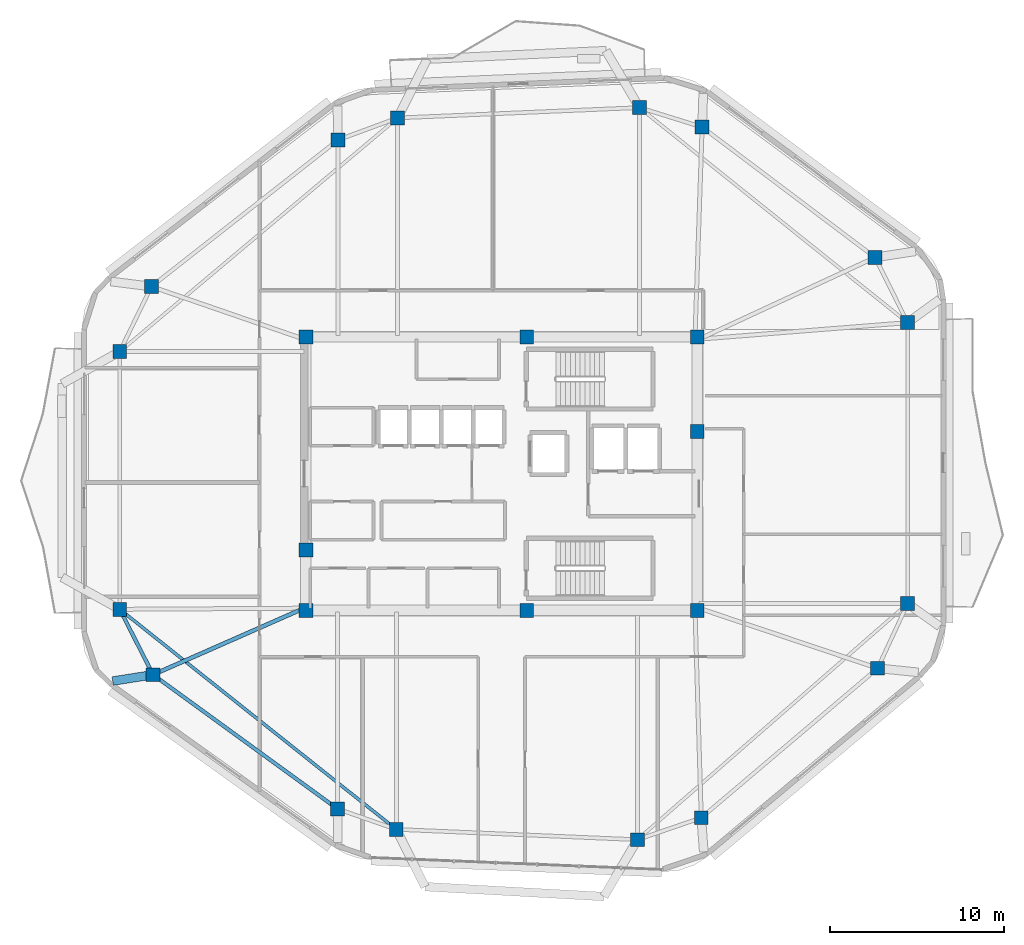
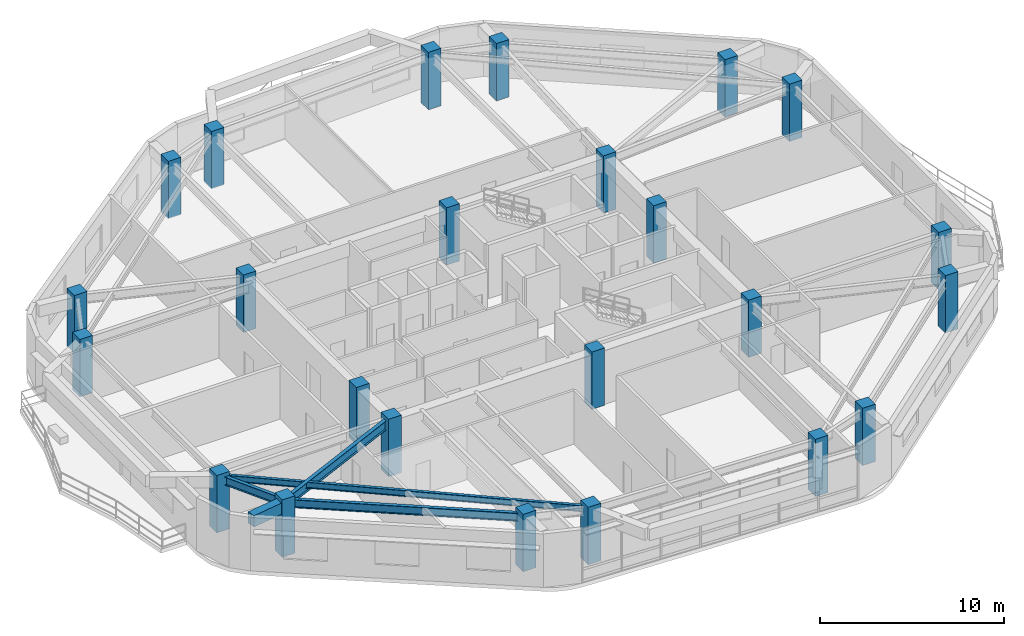
# One storey, part 1 of 13: 24 columns, 5 beams.
"""IFC4 building model written with IfcOpenShell, lengths in metres."""

from ifc_helpers import new_model, si_unit, direction, frame, origin, origin_2d, place, context, subcontext, project, spatial, rectangle, i_section, extrude, material, material_profile, profile_set, type_object, element, save


model = new_model("IFC4")

# Units and contexts
model_context = context("Model", 3, precision=1e-05, world=origin(), true_north=direction((0.0, 1.0)))
body_context = subcontext(model_context, "Body", "Model", "MODEL_VIEW")
ifc_project = project(units=[si_unit("LENGTHUNIT", "METRE"), si_unit("AREAUNIT", "SQUARE_METRE"), si_unit("VOLUMEUNIT", "CUBIC_METRE"), si_unit("PLANEANGLEUNIT", "RADIAN"), si_unit("MASSUNIT", "GRAM", prefix="KILO")], contexts=[model_context])

# Site, building, storey
site_placement = place(None, origin())
site = spatial("IfcSite", under=ifc_project, at=site_placement, CompositionType="ELEMENT")
building_placement = place(site_placement, origin())
building = spatial("IfcBuilding", under=site, at=building_placement, Name="Zulverin Broadcast Headquarters", CompositionType="ELEMENT")
storey_placement = place(building_placement, frame((0.0, 0.0, 301.0)))
storey = spatial("IfcBuildingStorey", under=building, at=storey_placement, Name="L77", CompositionType="ELEMENT", Elevation=301.0)

# Columns
ifc_material_1 = material(Name="Concrete C50/60", Category="concrete")
ifc_material_profile_1 = material_profile(ifc_material_1, rectangle(XDim=0.800048828125, YDim=0.800048828125, at=origin_2d()), Name="Concrete C50/60", Category="concrete")
ifc_profile_set_1 = profile_set([ifc_material_profile_1], Name="Concrete C50/60")
column_type_1 = type_object("IfcColumnType", Name="COL-RC-800", PredefinedType="COLUMN", material=ifc_profile_set_1)
for number, where, z_axis, x_axis, name in (
    (1, (30.93359375, 4.703125, 0.0), (0.0, 0.0, 1.0), (1.0, 0.0, 0.0), "L77 Perimeter Column T01"),
    (2, (44.826904296875, 4.1083984375, 0.0), (0.0, 0.0, 1.0), (1.0, 0.0, 0.0), "L77 Perimeter Column T02"),
    (3, (48.5078125, 5.3701171875, 0.0), (0.0, 0.0, 1.0), (1.0, 0.0, 0.0), "L77 Perimeter Column T03"),
    (4, (58.6748046875, 13.9892578125, 0.0), (0.0, 0.0, 1.0), (1.0, 0.0, 0.0), "L77 Perimeter Column T04"),
    (5, (60.39990234375, 17.713623046875, 0.0), (0.0, 0.0, 1.0), (1.0, 0.0, 0.0), "L77 Perimeter Column T05"),
    (6, (60.39990234375, 33.903076171875, 0.0), (0.0, 0.0, 1.0), (1.0, 0.0, 0.0), "L77 Perimeter Column T06"),
    (7, (58.52587890625, 37.661865234375, 0.0), (0.0, 0.0, 1.0), (1.0, 0.0, 0.0), "L77 Perimeter Column T07"),
    (8, (48.55908203125, 45.172607421875, 0.0), (0.0, 0.0, 1.0), (1.0, 0.0, 0.0), "L77 Perimeter Column T08"),
    (9, (44.944580078125, 46.296630859375, 0.0), (0.0, 0.0, 1.0), (1.0, 0.0, 0.0), "L77 Perimeter Column T09"),
    (10, (31.006591796875, 45.699951171875, 0.0), (0.0, 0.0, 1.0), (1.0, 0.0, 0.0), "L77 Perimeter Column T10"),
    (11, (27.573486328125, 44.4296875, 0.0), (0.0, 0.0, 1.0), (1.0, 0.0, 0.0), "L77 Perimeter Column T11"),
    (12, (16.82177734375, 35.98388671875, 0.0), (0.0, 0.0, 1.0), (1.0, 0.0, 0.0), "L77 Perimeter Column T12"),
    (13, (15.0, 32.236083984375, 0.0), (0.0, 0.0, 1.0), (1.0, 0.0, 0.0), "L77 Perimeter Column T13"),
    (14, (15.0, 17.383056640625, 0.0), (0.0, 0.0, 1.0), (1.0, 0.0, 0.0), "L77 Perimeter Column T14"),
    (15, (16.918212890625, 13.61572265625, 0.0), (0.0, 0.0, 1.0), (1.0, 0.0, 0.0), "L77 Perimeter Column T15"),
    (16, (27.54541015625, 5.8857421875, 0.0), (0.0, 0.0, 1.0), (1.0, 0.0, 0.0), "L77 Perimeter Column T16"),
):
    element("IfcColumn", number, at=place(storey_placement, frame(where, z_axis=z_axis, x_axis=x_axis)), inside=storey, type_object=column_type_1, Name=name, PredefinedType="COLUMN", context=body_context, shape_type="SweptSolid", body=[
        extrude(rectangle(XDim=0.800048828125, YDim=0.800048828125, at=origin_2d()), origin(), (0.0, 0.0, 1.0), 3.800048828125),
    ])
ifc_material_profile_2 = material_profile(ifc_material_1, rectangle(XDim=0.800048828125, YDim=0.800048828125, at=origin_2d()), Name="Concrete C50/60", Category="concrete")
ifc_profile_set_2 = profile_set([ifc_material_profile_2], Name="Concrete C50/60")
column_type_2 = type_object("IfcColumnType", Name="PIL-RC-800", PredefinedType="PILASTER", material=ifc_profile_set_2)
for number, where, z_axis, x_axis, name in (
    (17, (25.72509765625, 17.324951171875, 0.0), (0.0, 0.0, 1.0), (1.0, 0.0, 0.0), "L77 Core Pilaster K01"),
    (18, (38.449951171875, 17.324951171875, 0.0), (0.0, 0.0, 1.0), (1.0, 0.0, 0.0), "L77 Core Pilaster K02"),
    (19, (48.27490234375, 17.324951171875, 0.0), (0.0, 0.0, 1.0), (1.0, 0.0, 0.0), "L77 Core Pilaster K03"),
    (20, (48.27490234375, 27.6201171875, 0.0), (0.0, 0.0, 1.0), (1.0, 0.0, 0.0), "L77 Core Pilaster K04"),
    (21, (48.27490234375, 33.074951171875, 0.0), (0.0, 0.0, 1.0), (1.0, 0.0, 0.0), "L77 Core Pilaster K05"),
    (22, (38.449951171875, 33.074951171875, 0.0), (0.0, 0.0, 1.0), (1.0, 0.0, 0.0), "L77 Core Pilaster K06"),
    (23, (25.72509765625, 33.074951171875, 0.0), (0.0, 0.0, 1.0), (1.0, 0.0, 0.0), "L77 Core Pilaster K07"),
    (24, (25.72509765625, 20.800048828125, 0.0), (0.0, 0.0, 1.0), (1.0, 0.0, 0.0), "L77 Core Pilaster K08"),
):
    element("IfcColumn", number, at=place(storey_placement, frame(where, z_axis=z_axis, x_axis=x_axis)), inside=storey, type_object=column_type_2, Name=name, PredefinedType="PILASTER", context=body_context, shape_type="SweptSolid", body=[
        extrude(rectangle(XDim=0.800048828125, YDim=0.800048828125, at=origin_2d()), origin(), (0.0, 0.0, 1.0), 3.800048828125),
    ])

# Beams
ifc_material_2 = material(Name="Concrete C40/50", Category="concrete")
ifc_material_profile_3 = material_profile(ifc_material_2, rectangle(XDim=0.5, YDim=0.75, at=origin_2d()), Name="Concrete C40/50", Category="concrete")
ifc_profile_set_3 = profile_set([ifc_material_profile_3], Name="Concrete C40/50")
beam_type_1 = type_object("IfcBeamType", Name="BM-RC-500x750", PredefinedType="BEAM", material=ifc_profile_set_3)
beam_1_placement = place(storey_placement, frame((16.918212890625, 13.61572265625, 3.1650390625), z_axis=(-0.987723457787, -0.156212582521, 0.0), x_axis=(0.156212582521, -0.987723457787, 0.0)))
element("IfcBeam", 25, at=beam_1_placement, inside=storey, type_object=beam_type_1, Name="L78 Plate Overhang Back-Spanned Beam OVR-15", PredefinedType="BEAM", context=body_context, shape_type="SweptSolid", body=[
    extrude(rectangle(XDim=0.5, YDim=0.75, at=origin_2d()), origin(), (0.0, 0.0, 1.0), 2.35693359375),
])
ifc_material_3 = material(Name="Structural steel S355JR", Category="steel")
ifc_material_profile_4 = material_profile(ifc_material_3, i_section(OverallWidth=0.179443359375, OverallDepth=0.412841796875, WebThickness=0.009521484375, FlangeThickness=0.01611328125, at=origin_2d()), Name="Structural steel S355JR", Category="steel")
ifc_profile_set_4 = profile_set([ifc_material_profile_4], Name="Structural steel S355JR")
beam_type_2 = type_object("IfcBeamType", Name="BM-UB-406", PredefinedType="JOIST", material=ifc_profile_set_4)
beam_2_placement = place(storey_placement, frame((15.0, 17.383056640625, 3.33349609375), z_axis=(0.782469878912, -0.622688436214, 0.0), x_axis=(0.622688436214, 0.782469878912, 0.0)))
element("IfcBeam", 26, at=beam_2_placement, inside=storey, type_object=beam_type_2, Name="L77 Chordal Floor Joist J-04", PredefinedType="JOIST", context=body_context, shape_type="SweptSolid", body=[
    extrude(i_section(OverallWidth=0.179443359375, OverallDepth=0.412841796875, WebThickness=0.009521484375, FlangeThickness=0.01611328125, at=origin_2d()), origin(), (0.0, 0.0, 1.0), 20.36328125),
])
ifc_material_profile_5 = material_profile(ifc_material_3, i_section(OverallWidth=0.2119140625, OverallDepth=0.54443359375, WebThickness=0.0126953125, FlangeThickness=0.021240234375, at=origin_2d()), Name="Structural steel S355JR", Category="steel")
ifc_profile_set_5 = profile_set([ifc_material_profile_5], Name="Structural steel S355JR")
beam_type_3 = type_object("IfcBeamType", Name="BM-UB-533", PredefinedType="SPANDREL", material=ifc_profile_set_5)
beam_3_placement = place(storey_placement, frame((15.0, 17.383056640625, 3.267822265625), z_axis=(0.453738909408, -0.89113467113, 0.0), x_axis=(0.89113467113, 0.453738909408, 0.0)))
element("IfcBeam", 27, at=beam_3_placement, inside=storey, type_object=beam_type_3, Name="L77 Perimeter Spandrel Beam SP-14", PredefinedType="SPANDREL", context=body_context, shape_type="SweptSolid", body=[
    extrude(i_section(OverallWidth=0.2119140625, OverallDepth=0.54443359375, WebThickness=0.0126953125, FlangeThickness=0.021240234375, at=origin_2d()), origin(), (0.0, 0.0, 1.0), 4.2275390625),
])
beam_4_placement = place(storey_placement, frame((16.918212890625, 13.61572265625, 3.267822265625), z_axis=(0.808695913066, -0.588226929162, 0.0), x_axis=(0.588226929162, 0.808695913066, 0.0)))
element("IfcBeam", 28, at=beam_4_placement, inside=storey, type_object=beam_type_3, Name="L77 Perimeter Spandrel Beam SP-15", PredefinedType="SPANDREL", context=body_context, shape_type="SweptSolid", body=[
    extrude(i_section(OverallWidth=0.2119140625, OverallDepth=0.54443359375, WebThickness=0.0126953125, FlangeThickness=0.021240234375, at=origin_2d()), origin(), (0.0, 0.0, 1.0), 13.14111328125),
])
ifc_material_profile_6 = material_profile(ifc_material_3, i_section(OverallWidth=0.230224609375, OverallDepth=0.6171875, WebThickness=0.01318359375, FlangeThickness=0.022216796875, at=origin_2d()), Name="Structural steel S355JR", Category="steel")
ifc_profile_set_6 = profile_set([ifc_material_profile_6], Name="Structural steel S355JR")
beam_type_4 = type_object("IfcBeamType", Name="BM-UB-610", PredefinedType="BEAM", material=ifc_profile_set_6)
beam_5_placement = place(storey_placement, frame((25.625, 17.449951171875, 3.2314453125), z_axis=(-0.915189360301, -0.403024111924, 0.0), x_axis=(0.403024111924, -0.915189360301, 0.0)))
element("IfcBeam", 29, at=beam_5_placement, inside=storey, type_object=beam_type_4, Name="L77 Radial Primary Floor Beam RB-15", PredefinedType="BEAM", context=body_context, shape_type="SweptSolid", body=[
    extrude(i_section(OverallWidth=0.230224609375, OverallDepth=0.6171875, WebThickness=0.01318359375, FlangeThickness=0.022216796875, at=origin_2d()), origin(), (0.0, 0.0, 1.0), 9.513671875),
])

save(model, "model.ifc")
